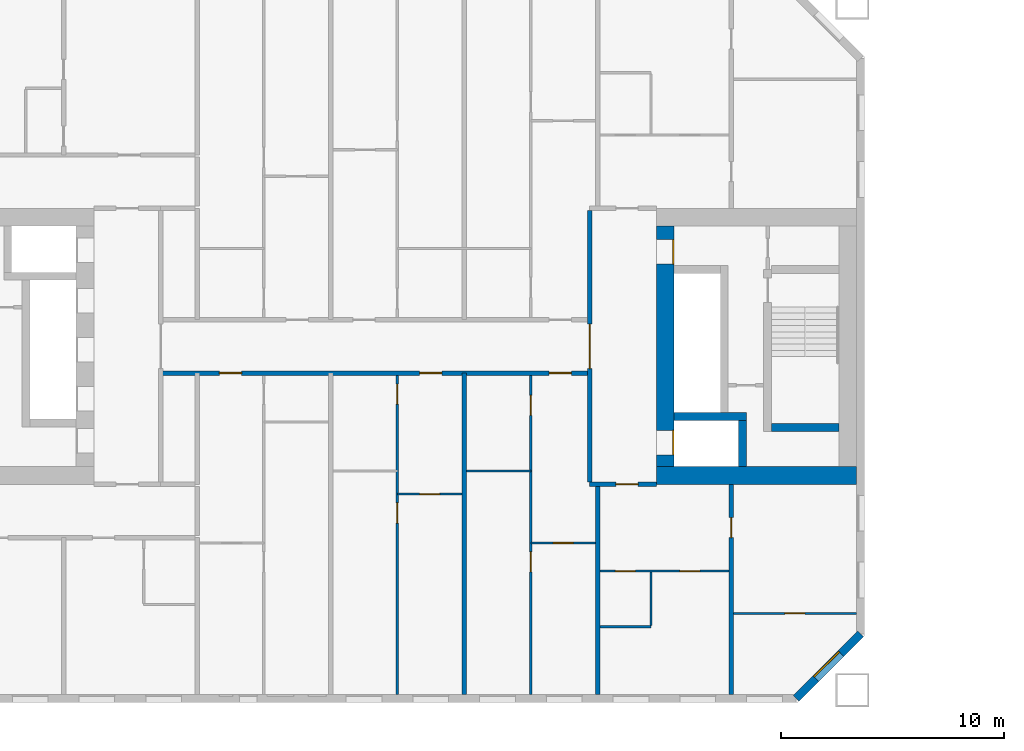
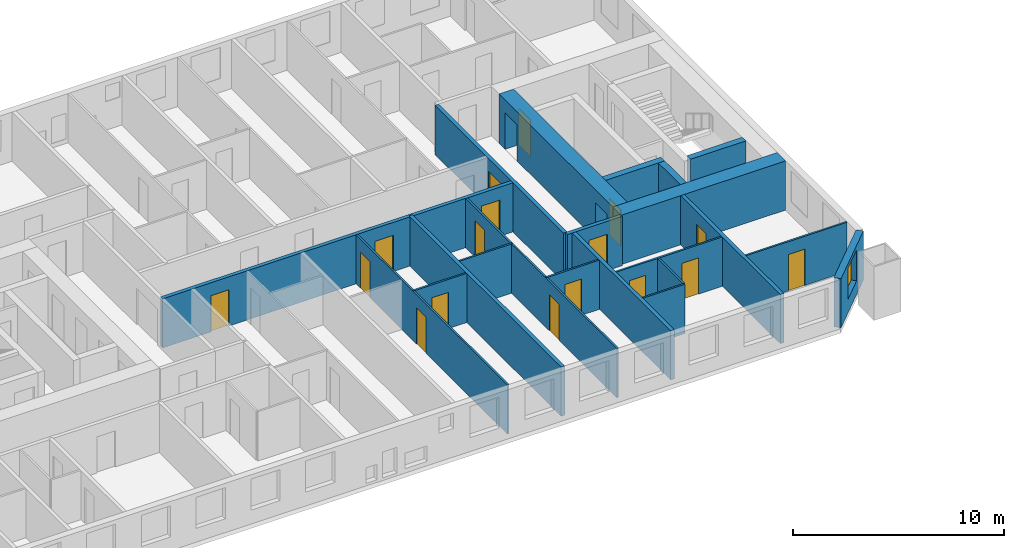
# One storey, part 6 of 16: 21 walls, 17 doors, 1 window, 18 openings.
"""IFC4 building model written with IfcOpenShell, lengths in metres."""

from ifc_helpers import new_model, si_unit, direction, frame, frame_2d, origin, place, context, subcontext, project, spatial, rectangle, extrude, material, layer, layer_set, type_object, element, fill, save


model = new_model("IFC4")

# Units and contexts
model_context = context("Model", 3, precision=1e-05, world=origin(), true_north=direction((0.0, 1.0)))
body_context = subcontext(model_context, "Body", "Model", "MODEL_VIEW")
ifc_project = project(units=[si_unit("LENGTHUNIT", "METRE"), si_unit("AREAUNIT", "SQUARE_METRE"), si_unit("VOLUMEUNIT", "CUBIC_METRE"), si_unit("PLANEANGLEUNIT", "RADIAN"), si_unit("MASSUNIT", "GRAM", prefix="KILO")], contexts=[model_context])

# Site, building, storey
site_placement = place(None, origin())
site = spatial("IfcSite", under=ifc_project, at=site_placement, CompositionType="ELEMENT")
building_placement = place(site_placement, origin())
building = spatial("IfcBuilding", under=site, at=building_placement, Name="Tuart Gate Housing", CompositionType="ELEMENT")
storey_placement = place(building_placement, frame((0.0, 0.0, 59.800048828125)))
storey = spatial("IfcBuildingStorey", under=building, at=storey_placement, Name="L16", CompositionType="ELEMENT", Elevation=59.800048828125)

# Wall, opening, window
ifc_material_1 = material(Name="Brick", Category="masonry")
ifc_layer_1 = layer(ifc_material_1, 0.360107421875)
ifc_layer_set_1 = layer_set([ifc_layer_1], Name="Brick pier and spandrel wall 360")
wall_type_1 = type_object("IfcWallType", Name="Brick pier and spandrel wall 360", PredefinedType="STANDARD", material=ifc_layer_set_1)
wall_1_placement = place(storey_placement, frame((72.92529296875, 54.179931640625, 0.0), z_axis=(0.0, 0.0, 1.0), x_axis=(0.707106781187, 0.707106781187, 0.0)))
wall_1 = element("IfcWall", 1, at=wall_1_placement, inside=storey, type_object=wall_type_1, Name="External wall A-SE L16", PredefinedType="STANDARD", context=body_context, shape_type="SweptSolid", body=[
    extrude(rectangle(XDim=4.09375, YDim=0.360107421875, at=frame_2d((2.046875, 0.0))), origin(), (0.0, 0.0, 1.0), 2.849853515625),
])
opening_1_placement = place(wall_1_placement, frame((1.2470703125, 0.0, 0.800048828125)))
opening_1 = element("IfcOpeningElement", 2, at=opening_1_placement, cuts=wall_1, Name="Opening W1", PredefinedType="OPENING", context=body_context, shape_type="SweptSolid", body=[
    extrude(rectangle(XDim=1.60009765625, YDim=1.800048828125, at=frame_2d((0.800048828125, 0.89990234375))), frame((0.0, 0.18994140625, 0.0), z_axis=(0.0, -1.0, 0.0), x_axis=(1.0, 0.0, 0.0)), (0.0, 0.0, 1.0), 0.380126953125),
])
ifc_material_2 = material(Name="Aluminium frame with clear glass", Category="aluminium")
window_type = type_object("IfcWindowType", Name="Punched window 1600 x 1800", PartitioningType="SINGLE_PANEL", PredefinedType="WINDOW", material=ifc_material_2)
window_placement = place(opening_1_placement, origin())
window = element("IfcWindow", 3, at=window_placement, inside=storey, type_object=window_type, Name="Window W1", OverallHeight=1.800048828125, OverallWidth=1.60009765625, PartitioningType="SINGLE_PANEL", PredefinedType="WINDOW", context=body_context, shape_type="SweptSolid", body=[
    extrude(rectangle(XDim=1.60009765625, YDim=1.800048828125, at=frame_2d((0.800048828125, 0.89990234375))), frame((0.0, 0.150146484375, 0.0), z_axis=(0.0, -1.0, 0.0), x_axis=(1.0, 0.0, 0.0)), (0.0, 0.0, 1.0), 0.06005859375),
])
fill(opening_1, window)

# Walls
ifc_material_3 = material(Name="Concrete C60", Category="concrete")
ifc_layer_2 = layer(ifc_material_3, 0.35009765625)
ifc_layer_set_2 = layer_set([ifc_layer_2], Name="Core wall 350 C60")
wall_type_2 = type_object("IfcWallType", Name="Core wall 350 C60", PredefinedType="SHEAR", material=ifc_layer_set_2)
wall_2_placement = place(storey_placement, frame((71.81494140625, 66.35009765625, 0.0), z_axis=(0.0, 0.0, 1.0), x_axis=(1.0, 0.0, 0.0)))
element("IfcWall", 4, at=wall_2_placement, inside=storey, type_object=wall_type_2, Name="Core wall AG.1", PredefinedType="SHEAR", context=body_context, shape_type="SweptSolid", body=[
    extrude(rectangle(XDim=3.025146484375, YDim=0.35009765625, at=frame_2d((1.5126953125, 0.0))), origin(), (0.0, 0.0, 1.0), 2.849853515625),
])
wall_3_placement = place(storey_placement, frame((67.43994140625, 66.85009765625, 0.0), z_axis=(0.0, 0.0, 1.0), x_axis=(1.0, 0.0, 0.0)))
element("IfcWall", 5, at=wall_3_placement, inside=storey, type_object=wall_type_2, Name="Core wall AG.2", PredefinedType="SHEAR", context=body_context, shape_type="SweptSolid", body=[
    extrude(rectangle(XDim=3.2451171875, YDim=0.35009765625, at=frame_2d((1.62255859375, 0.0))), origin(), (0.0, 0.0, 1.0), 2.849853515625),
])
wall_4_placement = place(storey_placement, frame((70.510009765625, 64.60009765625, 0.0), z_axis=(0.0, 0.0, 1.0), x_axis=(0.0, 1.0, 0.0)))
element("IfcWall", 6, at=wall_4_placement, inside=storey, type_object=wall_type_2, Name="Core wall AG.7", PredefinedType="SHEAR", context=body_context, shape_type="SweptSolid", body=[
    extrude(rectangle(XDim=2.074951171875, YDim=0.35009765625, at=frame_2d((1.03759765625, 0.0))), origin(), (0.0, 0.0, 1.0), 2.849853515625),
])

# Wall, openings, doors
ifc_material_4 = material(Name="Concrete C60", Category="concrete")
ifc_layer_3 = layer(ifc_material_4, 0.800048828125)
ifc_layer_set_3 = layer_set([ifc_layer_3], Name="Core wall 800 C60")
wall_type_3 = type_object("IfcWallType", Name="Core wall 800 C60", PredefinedType="SHEAR", material=ifc_layer_set_3)
wall_5_placement = place(storey_placement, frame((67.0400390625, 64.60009765625, 0.0), z_axis=(0.0, 0.0, 1.0), x_axis=(0.0, 1.0, 0.0)))
wall_5 = element("IfcWall", 7, at=wall_5_placement, inside=storey, type_object=wall_type_3, Name="Core wall AG front", PredefinedType="SHEAR", context=body_context, shape_type="SweptSolid", body=[
    extrude(rectangle(XDim=10.7998046875, YDim=0.800048828125, at=frame_2d((5.39990234375, 0.0))), origin(), (0.0, 0.0, 1.0), 2.849853515625),
])
opening_2_placement = place(wall_5_placement, frame((0.52490234375, 0.0, 0.0)))
opening_2 = element("IfcOpeningElement", 8, at=opening_2_placement, cuts=wall_5, Name="Opening LD-FA1", PredefinedType="OPENING", context=body_context, shape_type="SweptSolid", body=[
    extrude(rectangle(XDim=1.10009765625, YDim=2.10009765625, at=frame_2d((0.550048828125, 1.050048828125))), frame((0.0, 0.409912109375, 0.0), z_axis=(0.0, -1.0, 0.0), x_axis=(1.0, 0.0, 0.0)), (0.0, 0.0, 1.0), 0.820068359375),
])
opening_3_placement = place(wall_5_placement, frame((9.10009765625, 0.0, 0.0)))
opening_3 = element("IfcOpeningElement", 9, at=opening_3_placement, cuts=wall_5, Name="Opening D747", PredefinedType="OPENING", context=body_context, shape_type="SweptSolid", body=[
    extrude(rectangle(XDim=1.10009765625, YDim=2.10009765625, at=frame_2d((0.550048828125, 1.050048828125))), frame((0.0, 0.409912109375, 0.0), z_axis=(0.0, -1.0, 0.0), x_axis=(1.0, 0.0, 0.0)), (0.0, 0.0, 1.0), 0.820068359375),
])
ifc_material_5 = material(Name="Stainless steel", Category="steel")
door_type_1 = type_object("IfcDoorType", Name="Landing door 1100 x 2100", OperationType="DOUBLE_DOOR_SLIDING", PredefinedType="DOOR", material=ifc_material_5)
door_1_placement = place(opening_2_placement, origin())
door_1 = element("IfcDoor", 10, at=door_1_placement, inside=storey, type_object=door_type_1, Name="Lift landing door FA1", OperationType="DOUBLE_DOOR_SLIDING", OverallHeight=2.10009765625, OverallWidth=1.10009765625, PredefinedType="DOOR", context=body_context, shape_type="SweptSolid", body=[
    extrude(rectangle(XDim=1.10009765625, YDim=2.10009765625, at=frame_2d((0.550048828125, 1.050048828125))), frame((0.0, -0.3349609375, 0.0), z_axis=(0.0, -1.0, 0.0), x_axis=(1.0, 0.0, 0.0)), (0.0, 0.0, 1.0), 0.050048828125),
])
fill(opening_2, door_1)
ifc_material_6 = material(Name="Steel fire door", Category="steel")
door_type_2 = type_object("IfcDoorType", Name="Lobby door 1100 x 2100 RH", OperationType="SINGLE_SWING_RIGHT", PredefinedType="DOOR", material=ifc_material_6)
door_2_placement = place(opening_3_placement, frame((1.10009765625, 0.0, 0.0), z_axis=(0.0, 0.0, 1.0), x_axis=(-1.0, 0.0, 0.0)))
door_2 = element("IfcDoor", 11, at=door_2_placement, inside=storey, type_object=door_type_2, Name="Lobby entry door AG.EN", OperationType="SINGLE_SWING_RIGHT", OverallHeight=2.10009765625, OverallWidth=1.10009765625, PredefinedType="DOOR", context=body_context, shape_type="SweptSolid", body=[
    extrude(rectangle(XDim=1.10009765625, YDim=2.10009765625, at=frame_2d((0.550048828125, 1.050048828125))), frame((0.0, 0.385009765625, 0.0), z_axis=(0.0, -1.0, 0.0), x_axis=(1.0, 0.0, 0.0)), (0.0, 0.0, 1.0), 0.050048828125),
])
fill(opening_3, door_2)

# Wall
wall_6_placement = place(storey_placement, frame((66.639892578125, 64.199951171875, 0.0), z_axis=(0.0, 0.0, 1.0), x_axis=(1.0, 0.0, 0.0)))
element("IfcWall", 12, at=wall_6_placement, inside=storey, type_object=wall_type_3, Name="Core wall AG south", PredefinedType="SHEAR", context=body_context, shape_type="SweptSolid", body=[
    extrude(rectangle(XDim=9.0, YDim=0.800048828125, at=frame_2d((4.5, 0.0))), origin(), (0.0, 0.0, 1.0), 2.849853515625),
])

# Wall, openings, doors
ifc_material_7 = material(Name="Concrete masonry 15 MPa", Category="masonry")
ifc_layer_4 = layer(ifc_material_7, 0.199951171875)
ifc_layer_set_4 = layer_set([ifc_layer_4], Name="Corridor wall masonry 200")
wall_type_4 = type_object("IfcWallType", Name="Corridor wall masonry 200", PredefinedType="PARTITIONING", material=ifc_layer_set_4)
wall_7_placement = place(storey_placement, frame((44.360107421875, 68.800048828125, 0.0), z_axis=(0.0, 0.0, 1.0), x_axis=(1.0, 0.0, 0.0)))
wall_7 = element("IfcWall", 13, at=wall_7_placement, inside=storey, type_object=wall_type_4, Name="Corridor wall masonry 200", PredefinedType="PARTITIONING", context=body_context, shape_type="SweptSolid", body=[
    extrude(rectangle(XDim=19.27978515625, YDim=0.199951171875, at=frame_2d((9.639892578125, 0.0))), origin(), (0.0, 0.0, 1.0), 2.849853515625),
])
opening_4_placement = place(wall_7_placement, frame((17.4599609375, 0.0, 0.0)))
opening_4 = element("IfcOpeningElement", 14, at=opening_4_placement, cuts=wall_7, Name="Opening D749", PredefinedType="OPENING", context=body_context, shape_type="SweptSolid", body=[
    extrude(rectangle(XDim=1.0, YDim=2.10009765625, at=frame_2d((0.5, 1.050048828125))), frame((0.0, 0.10986328125, 0.0), z_axis=(0.0, -1.0, 0.0), x_axis=(1.0, 0.0, 0.0)), (0.0, 0.0, 1.0), 0.219970703125),
])
opening_5_placement = place(wall_7_placement, frame((11.639892578125, 0.0, 0.0)))
opening_5 = element("IfcOpeningElement", 15, at=opening_5_placement, cuts=wall_7, Name="Opening D750", PredefinedType="OPENING", context=body_context, shape_type="SweptSolid", body=[
    extrude(rectangle(XDim=1.0, YDim=2.10009765625, at=frame_2d((0.5, 1.050048828125))), frame((0.0, 0.10986328125, 0.0), z_axis=(0.0, -1.0, 0.0), x_axis=(1.0, 0.0, 0.0)), (0.0, 0.0, 1.0), 0.219970703125),
])
opening_6_placement = place(wall_7_placement, frame((2.639892578125, 0.0, 0.0)))
opening_6 = element("IfcOpeningElement", 16, at=opening_6_placement, cuts=wall_7, Name="Opening D751", PredefinedType="OPENING", context=body_context, shape_type="SweptSolid", body=[
    extrude(rectangle(XDim=1.0, YDim=2.10009765625, at=frame_2d((0.5, 1.050048828125))), frame((0.0, 0.10986328125, 0.0), z_axis=(0.0, -1.0, 0.0), x_axis=(1.0, 0.0, 0.0)), (0.0, 0.0, 1.0), 0.219970703125),
])
ifc_material_8 = material(Name="Timber door leaf in steel frame", Category="steel")
door_type_3 = type_object("IfcDoorType", Name="Flat entrance door 1000 RH", OperationType="SINGLE_SWING_RIGHT", PredefinedType="DOOR", material=ifc_material_8)
door_3_placement = place(opening_4_placement, frame((1.0, 0.0, 0.0), z_axis=(0.0, 0.0, 1.0), x_axis=(-1.0, 0.0, 0.0)))
door_3 = element("IfcDoor", 17, at=door_3_placement, inside=storey, type_object=door_type_3, Name="Flat entrance door", OperationType="SINGLE_SWING_RIGHT", OverallHeight=2.10009765625, OverallWidth=1.0, PredefinedType="DOOR", context=body_context, shape_type="SweptSolid", body=[
    extrude(rectangle(XDim=1.0, YDim=2.10009765625, at=frame_2d((0.5, 1.050048828125))), frame((0.0, 0.025146484375, 0.0), z_axis=(0.0, -1.0, 0.0), x_axis=(1.0, 0.0, 0.0)), (0.0, 0.0, 1.0), 0.050048828125),
])
fill(opening_4, door_3)
door_4_placement = place(opening_5_placement, frame((1.0, 0.0, 0.0), z_axis=(0.0, 0.0, 1.0), x_axis=(-1.0, 0.0, 0.0)))
door_4 = element("IfcDoor", 18, at=door_4_placement, inside=storey, type_object=door_type_3, Name="Flat entrance door", OperationType="SINGLE_SWING_RIGHT", OverallHeight=2.10009765625, OverallWidth=1.0, PredefinedType="DOOR", context=body_context, shape_type="SweptSolid", body=[
    extrude(rectangle(XDim=1.0, YDim=2.10009765625, at=frame_2d((0.5, 1.050048828125))), frame((0.0, 0.025146484375, 0.0), z_axis=(0.0, -1.0, 0.0), x_axis=(1.0, 0.0, 0.0)), (0.0, 0.0, 1.0), 0.050048828125),
])
fill(opening_5, door_4)
door_5_placement = place(opening_6_placement, frame((1.0, 0.0, 0.0), z_axis=(0.0, 0.0, 1.0), x_axis=(-1.0, 0.0, 0.0)))
door_5 = element("IfcDoor", 19, at=door_5_placement, inside=storey, type_object=door_type_3, Name="Flat entrance door", OperationType="SINGLE_SWING_RIGHT", OverallHeight=2.10009765625, OverallWidth=1.0, PredefinedType="DOOR", context=body_context, shape_type="SweptSolid", body=[
    extrude(rectangle(XDim=1.0, YDim=2.10009765625, at=frame_2d((0.5, 1.050048828125))), frame((0.0, 0.025146484375, 0.0), z_axis=(0.0, -1.0, 0.0), x_axis=(1.0, 0.0, 0.0)), (0.0, 0.0, 1.0), 0.050048828125),
])
fill(opening_6, door_5)

# Wall, opening, door
ifc_material_9 = material(Name="Concrete masonry 15 MPa", Category="masonry")
ifc_layer_5 = layer(ifc_material_9, 0.199951171875)
ifc_layer_set_5 = layer_set([ifc_layer_5], Name="Enclosure wall masonry 200")
wall_type_5 = type_object("IfcWallType", Name="Enclosure wall masonry 200", PredefinedType="PARTITIONING", material=ifc_layer_set_5)
wall_8_placement = place(storey_placement, frame((63.639892578125, 63.800048828125, 0.0), z_axis=(0.0, 0.0, 1.0), x_axis=(1.0, 0.0, 0.0)))
wall_8 = element("IfcWall", 20, at=wall_8_placement, inside=storey, type_object=wall_type_5, Name="Enclosure wall masonry 200", PredefinedType="PARTITIONING", context=body_context, shape_type="SweptSolid", body=[
    extrude(rectangle(XDim=3.0, YDim=0.199951171875, at=frame_2d((1.5, 0.0))), origin(), (0.0, 0.0, 1.0), 2.849853515625),
])
opening_7_placement = place(wall_8_placement, frame((1.179931640625, 0.0, 0.0)))
opening_7 = element("IfcOpeningElement", 21, at=opening_7_placement, cuts=wall_8, Name="Opening D756", PredefinedType="OPENING", context=body_context, shape_type="SweptSolid", body=[
    extrude(rectangle(XDim=1.0, YDim=2.10009765625, at=frame_2d((0.5, 1.050048828125))), frame((0.0, 0.10986328125, 0.0), z_axis=(0.0, -1.0, 0.0), x_axis=(1.0, 0.0, 0.0)), (0.0, 0.0, 1.0), 0.219970703125),
])
door_6_placement = place(opening_7_placement, frame((1.0, 0.0, 0.0), z_axis=(0.0, 0.0, 1.0), x_axis=(-1.0, 0.0, 0.0)))
door_6 = element("IfcDoor", 22, at=door_6_placement, inside=storey, type_object=door_type_3, Name="Flat entrance door", OperationType="SINGLE_SWING_RIGHT", OverallHeight=2.10009765625, OverallWidth=1.0, PredefinedType="DOOR", context=body_context, shape_type="SweptSolid", body=[
    extrude(rectangle(XDim=1.0, YDim=2.10009765625, at=frame_2d((0.5, 1.050048828125))), frame((0.0, 0.025146484375, 0.0), z_axis=(0.0, -1.0, 0.0), x_axis=(1.0, 0.0, 0.0)), (0.0, 0.0, 1.0), 0.050048828125),
])
fill(opening_7, door_6)

ifc_material_10 = material(Name="Plasterboard partition")
ifc_layer_6 = layer(ifc_material_10, 0.199951171875)
ifc_layer_set_6 = layer_set([ifc_layer_6], Name="Lobby wall 200")
wall_type_6 = type_object("IfcWallType", Name="Lobby wall 200", PredefinedType="PARTITIONING", material=ifc_layer_set_6)
wall_9_placement = place(storey_placement, frame((63.639892578125, 63.89990234375, 0.0), z_axis=(0.0, 0.0, 1.0), x_axis=(0.0, 1.0, 0.0)))
wall_9 = element("IfcWall", 23, at=wall_9_placement, inside=storey, type_object=wall_type_6, Name="Lift lobby wall AG", PredefinedType="PARTITIONING", context=body_context, shape_type="SweptSolid", body=[
    extrude(rectangle(XDim=12.2001953125, YDim=0.199951171875, at=frame_2d((6.10009765625, 0.0))), origin(), (0.0, 0.0, 1.0), 2.849853515625),
])
opening_8_placement = place(wall_9_placement, frame((5.10009765625, 0.0, 0.0)))
opening_8 = element("IfcOpeningElement", 24, at=opening_8_placement, cuts=wall_9, Name="Opening D746", PredefinedType="OPENING", context=body_context, shape_type="SweptSolid", body=[
    extrude(rectangle(XDim=2.0, YDim=2.10009765625, at=frame_2d((1.0, 1.050048828125))), frame((0.0, 0.10986328125, 0.0), z_axis=(0.0, -1.0, 0.0), x_axis=(1.0, 0.0, 0.0)), (0.0, 0.0, 1.0), 0.219970703125),
])
ifc_material_11 = material(Name="Steel fire door", Category="steel")
door_type_4 = type_object("IfcDoorType", Name="Smoke door 2000 x 2100", OperationType="DOUBLE_DOOR_SINGLE_SWING", PredefinedType="DOOR", material=ifc_material_11)
door_7_placement = place(opening_8_placement, frame((2.0, 0.0, 0.0), z_axis=(0.0, 0.0, 1.0), x_axis=(-1.0, 0.0, 0.0)))
door_7 = element("IfcDoor", 25, at=door_7_placement, inside=storey, type_object=door_type_4, Name="Lift lobby smoke door AG", OperationType="DOUBLE_DOOR_SINGLE_SWING", OverallHeight=2.10009765625, OverallWidth=2.0, PredefinedType="DOOR", context=body_context, shape_type="SweptSolid", body=[
    extrude(rectangle(XDim=2.0, YDim=2.10009765625, at=frame_2d((1.0, 1.050048828125))), frame((0.0, 0.025146484375, 0.0), z_axis=(0.0, -1.0, 0.0), x_axis=(1.0, 0.0, 0.0)), (0.0, 0.0, 1.0), 0.050048828125),
])
fill(opening_8, door_7)

# Wall
ifc_material_12 = material(Name="Gypsum board on steel studs", Category="steel")
ifc_layer_7 = layer(ifc_material_12, 0.10009765625)
ifc_layer_set_7 = layer_set([ifc_layer_7], Name="Partition 100")
wall_type_7 = type_object("IfcWallType", Name="Partition 100", PredefinedType="PARTITIONING", material=ifc_layer_set_7)
wall_10_placement = place(storey_placement, frame((64.10009765625, 57.39990234375, 0.0), z_axis=(0.0, 0.0, 1.0), x_axis=(1.0, 0.0, 0.0)))
element("IfcWall", 26, at=wall_10_placement, inside=storey, type_object=wall_type_7, Name="Partition 100", PredefinedType="PARTITIONING", context=body_context, shape_type="SweptSolid", body=[
    extrude(rectangle(XDim=2.2998046875, YDim=0.10009765625, at=frame_2d((1.14990234375, 0.0))), origin(), (0.0, 0.0, 1.0), 2.849853515625),
])

# Wall, opening, door
wall_11_placement = place(storey_placement, frame((70.10009765625, 58.0, 0.0), z_axis=(0.0, 0.0, 1.0), x_axis=(1.0, 0.0, 0.0)))
wall_11 = element("IfcWall", 27, at=wall_11_placement, inside=storey, type_object=wall_type_7, Name="Partition 100", PredefinedType="PARTITIONING", context=body_context, shape_type="SweptSolid", body=[
    extrude(rectangle(XDim=5.539794921875, YDim=0.10009765625, at=frame_2d((2.77001953125, 0.0))), origin(), (0.0, 0.0, 1.0), 2.849853515625),
])
opening_9_placement = place(wall_11_placement, frame((2.320068359375, 0.0, 0.0)))
opening_9 = element("IfcOpeningElement", 28, at=opening_9_placement, cuts=wall_11, Name="Opening D773", PredefinedType="OPENING", context=body_context, shape_type="SweptSolid", body=[
    extrude(rectangle(XDim=0.89990234375, YDim=2.10009765625, at=frame_2d((0.449951171875, 1.050048828125))), frame((0.0, 0.06005859375, 0.0), z_axis=(0.0, -1.0, 0.0), x_axis=(1.0, 0.0, 0.0)), (0.0, 0.0, 1.0), 0.1201171875),
])
ifc_material_13 = material(Name="Timber door leaf in steel frame", Category="steel")
door_type_5 = type_object("IfcDoorType", Name="Internal door 900", OperationType="SINGLE_SWING_LEFT", PredefinedType="DOOR", material=ifc_material_13)
door_8_placement = place(opening_9_placement, frame((0.89990234375, 0.0, 0.0), z_axis=(0.0, 0.0, 1.0), x_axis=(-1.0, 0.0, 0.0)))
door_8 = element("IfcDoor", 29, at=door_8_placement, inside=storey, type_object=door_type_5, Name="Internal door", OperationType="SINGLE_SWING_LEFT", OverallHeight=2.10009765625, OverallWidth=0.89990234375, PredefinedType="DOOR", context=body_context, shape_type="SweptSolid", body=[
    extrude(rectangle(XDim=0.89990234375, YDim=2.10009765625, at=frame_2d((0.449951171875, 1.050048828125))), frame((0.0, 0.025146484375, 0.0), z_axis=(0.0, -1.0, 0.0), x_axis=(1.0, 0.0, 0.0)), (0.0, 0.0, 1.0), 0.050048828125),
])
fill(opening_9, door_8)

# Wall, openings, doors
wall_12_placement = place(storey_placement, frame((64.10009765625, 59.89990234375, 0.0), z_axis=(0.0, 0.0, 1.0), x_axis=(1.0, 0.0, 0.0)))
wall_12 = element("IfcWall", 30, at=wall_12_placement, inside=storey, type_object=wall_type_7, Name="Partition 100", PredefinedType="PARTITIONING", context=body_context, shape_type="SweptSolid", body=[
    extrude(rectangle(XDim=5.7998046875, YDim=0.10009765625, at=frame_2d((2.89990234375, 0.0))), origin(), (0.0, 0.0, 1.0), 2.849853515625),
])
opening_10_placement = place(wall_12_placement, frame((3.60009765625, 0.0, 0.0)))
opening_10 = element("IfcOpeningElement", 31, at=opening_10_placement, cuts=wall_12, Name="Opening D770", PredefinedType="OPENING", context=body_context, shape_type="SweptSolid", body=[
    extrude(rectangle(XDim=0.89990234375, YDim=2.10009765625, at=frame_2d((0.449951171875, 1.050048828125))), frame((0.0, 0.06005859375, 0.0), z_axis=(0.0, -1.0, 0.0), x_axis=(1.0, 0.0, 0.0)), (0.0, 0.0, 1.0), 0.1201171875),
])
opening_11_placement = place(wall_12_placement, frame((0.699951171875, 0.0, 0.0)))
opening_11 = element("IfcOpeningElement", 32, at=opening_11_placement, cuts=wall_12, Name="Opening D769", PredefinedType="OPENING", context=body_context, shape_type="SweptSolid", body=[
    extrude(rectangle(XDim=0.89990234375, YDim=2.10009765625, at=frame_2d((0.449951171875, 1.050048828125))), frame((0.0, 0.06005859375, 0.0), z_axis=(0.0, -1.0, 0.0), x_axis=(1.0, 0.0, 0.0)), (0.0, 0.0, 1.0), 0.1201171875),
])
ifc_material_14 = material(Name="Timber door leaf in steel frame", Category="steel")
door_type_6 = type_object("IfcDoorType", Name="Bathroom door 900", OperationType="SINGLE_SWING_LEFT", PredefinedType="DOOR", material=ifc_material_14)
door_9_placement = place(opening_11_placement, frame((0.89990234375, 0.0, 0.0), z_axis=(0.0, 0.0, 1.0), x_axis=(-1.0, 0.0, 0.0)))
door_9 = element("IfcDoor", 33, at=door_9_placement, inside=storey, type_object=door_type_6, Name="Bathroom door", OperationType="SINGLE_SWING_LEFT", OverallHeight=2.10009765625, OverallWidth=0.89990234375, PredefinedType="DOOR", context=body_context, shape_type="SweptSolid", body=[
    extrude(rectangle(XDim=0.89990234375, YDim=2.10009765625, at=frame_2d((0.449951171875, 1.050048828125))), frame((0.0, 0.025146484375, 0.0), z_axis=(0.0, -1.0, 0.0), x_axis=(1.0, 0.0, 0.0)), (0.0, 0.0, 1.0), 0.050048828125),
])
fill(opening_11, door_9)
ifc_material_15 = material(Name="Timber door leaf in steel frame", Category="steel")
door_type_7 = type_object("IfcDoorType", Name="Internal door 900 RH", OperationType="SINGLE_SWING_RIGHT", PredefinedType="DOOR", material=ifc_material_15)
door_10_placement = place(opening_10_placement, frame((0.89990234375, 0.0, 0.0), z_axis=(0.0, 0.0, 1.0), x_axis=(-1.0, 0.0, 0.0)))
door_10 = element("IfcDoor", 34, at=door_10_placement, inside=storey, type_object=door_type_7, Name="Internal door", OperationType="SINGLE_SWING_RIGHT", OverallHeight=2.10009765625, OverallWidth=0.89990234375, PredefinedType="DOOR", context=body_context, shape_type="SweptSolid", body=[
    extrude(rectangle(XDim=0.89990234375, YDim=2.10009765625, at=frame_2d((0.449951171875, 1.050048828125))), frame((0.0, 0.025146484375, 0.0), z_axis=(0.0, -1.0, 0.0), x_axis=(1.0, 0.0, 0.0)), (0.0, 0.0, 1.0), 0.050048828125),
])
fill(opening_10, door_10)

# Wall, opening, door
wall_13_placement = place(storey_placement, frame((61.0, 61.159912109375, 0.0), z_axis=(0.0, 0.0, 1.0), x_axis=(1.0, 0.0, 0.0)))
wall_13 = element("IfcWall", 35, at=wall_13_placement, inside=storey, type_object=wall_type_7, Name="Partition 100", PredefinedType="PARTITIONING", context=body_context, shape_type="SweptSolid", body=[
    extrude(rectangle(XDim=2.89990234375, YDim=0.10009765625, at=frame_2d((1.449951171875, 0.0))), origin(), (0.0, 0.0, 1.0), 2.849853515625),
])
opening_12_placement = place(wall_13_placement, frame((1.0, 0.0, 0.0)))
opening_12 = element("IfcOpeningElement", 36, at=opening_12_placement, cuts=wall_13, Name="Opening D768", PredefinedType="OPENING", context=body_context, shape_type="SweptSolid", body=[
    extrude(rectangle(XDim=0.89990234375, YDim=2.10009765625, at=frame_2d((0.449951171875, 1.050048828125))), frame((0.0, 0.06005859375, 0.0), z_axis=(0.0, -1.0, 0.0), x_axis=(1.0, 0.0, 0.0)), (0.0, 0.0, 1.0), 0.1201171875),
])
door_11_placement = place(opening_12_placement, origin())
door_11 = element("IfcDoor", 37, at=door_11_placement, inside=storey, type_object=door_type_5, Name="Internal door", OperationType="SINGLE_SWING_LEFT", OverallHeight=2.10009765625, OverallWidth=0.89990234375, PredefinedType="DOOR", context=body_context, shape_type="SweptSolid", body=[
    extrude(rectangle(XDim=0.89990234375, YDim=2.10009765625, at=frame_2d((0.449951171875, 1.050048828125))), frame((0.0, 0.02490234375, 0.0), z_axis=(0.0, -1.0, 0.0), x_axis=(1.0, 0.0, 0.0)), (0.0, 0.0, 1.0), 0.050048828125),
])
fill(opening_12, door_11)

wall_14_placement = place(storey_placement, frame((55.0, 63.360107421875, 0.0), z_axis=(0.0, 0.0, 1.0), x_axis=(1.0, 0.0, 0.0)))
wall_14 = element("IfcWall", 38, at=wall_14_placement, inside=storey, type_object=wall_type_7, Name="Partition 100", PredefinedType="PARTITIONING", context=body_context, shape_type="SweptSolid", body=[
    extrude(rectangle(XDim=2.89990234375, YDim=0.10009765625, at=frame_2d((1.449951171875, 0.0))), origin(), (0.0, 0.0, 1.0), 2.849853515625),
])
opening_13_placement = place(wall_14_placement, frame((1.0, 0.0, 0.0)))
opening_13 = element("IfcOpeningElement", 39, at=opening_13_placement, cuts=wall_14, Name="Opening D757", PredefinedType="OPENING", context=body_context, shape_type="SweptSolid", body=[
    extrude(rectangle(XDim=0.89990234375, YDim=2.10009765625, at=frame_2d((0.449951171875, 1.050048828125))), frame((0.0, 0.06005859375, 0.0), z_axis=(0.0, -1.0, 0.0), x_axis=(1.0, 0.0, 0.0)), (0.0, 0.0, 1.0), 0.1201171875),
])
door_12_placement = place(opening_13_placement, origin())
door_12 = element("IfcDoor", 40, at=door_12_placement, inside=storey, type_object=door_type_5, Name="Internal door", OperationType="SINGLE_SWING_LEFT", OverallHeight=2.10009765625, OverallWidth=0.89990234375, PredefinedType="DOOR", context=body_context, shape_type="SweptSolid", body=[
    extrude(rectangle(XDim=0.89990234375, YDim=2.10009765625, at=frame_2d((0.449951171875, 1.050048828125))), frame((0.0, 0.02490234375, 0.0), z_axis=(0.0, -1.0, 0.0), x_axis=(1.0, 0.0, 0.0)), (0.0, 0.0, 1.0), 0.050048828125),
])
fill(opening_13, door_12)

# Wall
wall_15_placement = place(storey_placement, frame((58.10009765625, 64.39990234375, 0.0), z_axis=(0.0, 0.0, 1.0), x_axis=(1.0, 0.0, 0.0)))
element("IfcWall", 41, at=wall_15_placement, inside=storey, type_object=wall_type_7, Name="Partition 100", PredefinedType="PARTITIONING", context=body_context, shape_type="SweptSolid", body=[
    extrude(rectangle(XDim=2.89990234375, YDim=0.10009765625, at=frame_2d((1.449951171875, 0.0))), origin(), (0.0, 0.0, 1.0), 2.849853515625),
])

# Wall, openings, doors
wall_16_placement = place(storey_placement, frame((55.0, 54.360107421875, 0.0), z_axis=(0.0, 0.0, 1.0), x_axis=(0.0, 1.0, 0.0)))
wall_16 = element("IfcWall", 42, at=wall_16_placement, inside=storey, type_object=wall_type_7, Name="Partition 100", PredefinedType="PARTITIONING", context=body_context, shape_type="SweptSolid", body=[
    extrude(rectangle(XDim=14.33984375, YDim=0.10009765625, at=frame_2d((7.169921875, 0.0))), origin(), (0.0, 0.0, 1.0), 2.849853515625),
])
opening_14_placement = place(wall_16_placement, frame((7.699951171875, 0.0, 0.0)))
opening_14 = element("IfcOpeningElement", 43, at=opening_14_placement, cuts=wall_16, Name="Opening D761", PredefinedType="OPENING", context=body_context, shape_type="SweptSolid", body=[
    extrude(rectangle(XDim=0.89990234375, YDim=2.10009765625, at=frame_2d((0.449951171875, 1.050048828125))), frame((0.0, 0.06005859375, 0.0), z_axis=(0.0, -1.0, 0.0), x_axis=(1.0, 0.0, 0.0)), (0.0, 0.0, 1.0), 0.1201171875),
])
opening_15_placement = place(wall_16_placement, frame((13.0400390625, 0.0, 0.0)))
opening_15 = element("IfcOpeningElement", 44, at=opening_15_placement, cuts=wall_16, Name="Opening D760", PredefinedType="OPENING", context=body_context, shape_type="SweptSolid", body=[
    extrude(rectangle(XDim=0.89990234375, YDim=2.10009765625, at=frame_2d((0.449951171875, 1.050048828125))), frame((0.0, 0.06005859375, 0.0), z_axis=(0.0, -1.0, 0.0), x_axis=(1.0, 0.0, 0.0)), (0.0, 0.0, 1.0), 0.1201171875),
])
ifc_material_16 = material(Name="Timber door leaf in steel frame", Category="steel")
door_type_8 = type_object("IfcDoorType", Name="Bathroom door 900 RH", OperationType="SINGLE_SWING_RIGHT", PredefinedType="DOOR", material=ifc_material_16)
door_13_placement = place(opening_15_placement, origin())
door_13 = element("IfcDoor", 45, at=door_13_placement, inside=storey, type_object=door_type_8, Name="Bathroom door", OperationType="SINGLE_SWING_RIGHT", OverallHeight=2.10009765625, OverallWidth=0.89990234375, PredefinedType="DOOR", context=body_context, shape_type="SweptSolid", body=[
    extrude(rectangle(XDim=0.89990234375, YDim=2.10009765625, at=frame_2d((0.449951171875, 1.050048828125))), frame((0.0, 0.02490234375, 0.0), z_axis=(0.0, -1.0, 0.0), x_axis=(1.0, 0.0, 0.0)), (0.0, 0.0, 1.0), 0.050048828125),
])
fill(opening_15, door_13)
door_14_placement = place(opening_14_placement, origin())
door_14 = element("IfcDoor", 46, at=door_14_placement, inside=storey, type_object=door_type_7, Name="Internal door", OperationType="SINGLE_SWING_RIGHT", OverallHeight=2.10009765625, OverallWidth=0.89990234375, PredefinedType="DOOR", context=body_context, shape_type="SweptSolid", body=[
    extrude(rectangle(XDim=0.89990234375, YDim=2.10009765625, at=frame_2d((0.449951171875, 1.050048828125))), frame((0.0, 0.02490234375, 0.0), z_axis=(0.0, -1.0, 0.0), x_axis=(1.0, 0.0, 0.0)), (0.0, 0.0, 1.0), 0.050048828125),
])
fill(opening_14, door_14)

wall_17_placement = place(storey_placement, frame((61.0, 54.360107421875, 0.0), z_axis=(0.0, 0.0, 1.0), x_axis=(0.0, 1.0, 0.0)))
wall_17 = element("IfcWall", 47, at=wall_17_placement, inside=storey, type_object=wall_type_7, Name="Partition 100", PredefinedType="PARTITIONING", context=body_context, shape_type="SweptSolid", body=[
    extrude(rectangle(XDim=14.33984375, YDim=0.10009765625, at=frame_2d((7.169921875, 0.0))), origin(), (0.0, 0.0, 1.0), 2.849853515625),
])
opening_16_placement = place(wall_17_placement, frame((5.5, 0.0, 0.0)))
opening_16 = element("IfcOpeningElement", 48, at=opening_16_placement, cuts=wall_17, Name="Opening D763", PredefinedType="OPENING", context=body_context, shape_type="SweptSolid", body=[
    extrude(rectangle(XDim=0.89990234375, YDim=2.10009765625, at=frame_2d((0.449951171875, 1.050048828125))), frame((0.0, 0.06005859375, 0.0), z_axis=(0.0, -1.0, 0.0), x_axis=(1.0, 0.0, 0.0)), (0.0, 0.0, 1.0), 0.1201171875),
])
opening_17_placement = place(wall_17_placement, frame((12.5400390625, 0.0, 0.0)))
opening_17 = element("IfcOpeningElement", 49, at=opening_17_placement, cuts=wall_17, Name="Opening D762", PredefinedType="OPENING", context=body_context, shape_type="SweptSolid", body=[
    extrude(rectangle(XDim=0.89990234375, YDim=2.10009765625, at=frame_2d((0.449951171875, 1.050048828125))), frame((0.0, 0.06005859375, 0.0), z_axis=(0.0, -1.0, 0.0), x_axis=(1.0, 0.0, 0.0)), (0.0, 0.0, 1.0), 0.1201171875),
])
door_15_placement = place(opening_17_placement, origin())
door_15 = element("IfcDoor", 50, at=door_15_placement, inside=storey, type_object=door_type_8, Name="Bathroom door", OperationType="SINGLE_SWING_RIGHT", OverallHeight=2.10009765625, OverallWidth=0.89990234375, PredefinedType="DOOR", context=body_context, shape_type="SweptSolid", body=[
    extrude(rectangle(XDim=0.89990234375, YDim=2.10009765625, at=frame_2d((0.449951171875, 1.050048828125))), frame((0.0, 0.02490234375, 0.0), z_axis=(0.0, -1.0, 0.0), x_axis=(1.0, 0.0, 0.0)), (0.0, 0.0, 1.0), 0.050048828125),
])
fill(opening_17, door_15)
door_16_placement = place(opening_16_placement, origin())
door_16 = element("IfcDoor", 51, at=door_16_placement, inside=storey, type_object=door_type_7, Name="Internal door", OperationType="SINGLE_SWING_RIGHT", OverallHeight=2.10009765625, OverallWidth=0.89990234375, PredefinedType="DOOR", context=body_context, shape_type="SweptSolid", body=[
    extrude(rectangle(XDim=0.89990234375, YDim=2.10009765625, at=frame_2d((0.449951171875, 1.050048828125))), frame((0.0, 0.02490234375, 0.0), z_axis=(0.0, -1.0, 0.0), x_axis=(1.0, 0.0, 0.0)), (0.0, 0.0, 1.0), 0.050048828125),
])
fill(opening_16, door_16)

# Walls
wall_18_placement = place(storey_placement, frame((66.39990234375, 57.449951171875, 0.0), z_axis=(0.0, 0.0, 1.0), x_axis=(0.0, 1.0, 0.0)))
element("IfcWall", 52, at=wall_18_placement, inside=storey, type_object=wall_type_7, Name="Partition 100", PredefinedType="PARTITIONING", context=body_context, shape_type="SweptSolid", body=[
    extrude(rectangle(XDim=2.400146484375, YDim=0.10009765625, at=frame_2d((1.2001953125, 0.0))), origin(), (0.0, 0.0, 1.0), 2.849853515625),
])
ifc_material_17 = material(Name="Concrete C40", Category="concrete")
ifc_layer_8 = layer(ifc_material_17, 0.199951171875)
ifc_layer_set_8 = layer_set([ifc_layer_8], Name="Party wall concrete C40 200")
wall_type_8 = type_object("IfcWallType", Name="Party wall concrete C40 200", PredefinedType="SOLIDWALL", material=ifc_layer_set_8)
wall_19_placement = place(storey_placement, frame((58.0, 54.360107421875, 0.0), z_axis=(0.0, 0.0, 1.0), x_axis=(0.0, 1.0, 0.0)))
element("IfcWall", 53, at=wall_19_placement, inside=storey, type_object=wall_type_8, Name="Party wall concrete C40 200", PredefinedType="SOLIDWALL", context=body_context, shape_type="SweptSolid", body=[
    extrude(rectangle(XDim=14.43994140625, YDim=0.199951171875, at=frame_2d((7.219970703125, 0.0))), origin(), (0.0, 0.0, 1.0), 2.849853515625),
])
wall_20_placement = place(storey_placement, frame((64.0, 54.360107421875, 0.0), z_axis=(0.0, 0.0, 1.0), x_axis=(0.0, 1.0, 0.0)))
element("IfcWall", 54, at=wall_20_placement, inside=storey, type_object=wall_type_8, Name="Party wall concrete C40 200", PredefinedType="SOLIDWALL", context=body_context, shape_type="SweptSolid", body=[
    extrude(rectangle(XDim=9.43994140625, YDim=0.199951171875, at=frame_2d((4.719970703125, 0.0))), origin(), (0.0, 0.0, 1.0), 2.849853515625),
])

# Wall, opening, door
wall_21_placement = place(storey_placement, frame((70.0, 54.360107421875, 0.0), z_axis=(0.0, 0.0, 1.0), x_axis=(0.0, 1.0, 0.0)))
wall_21 = element("IfcWall", 55, at=wall_21_placement, inside=storey, type_object=wall_type_8, Name="Party wall concrete C40 200", PredefinedType="SOLIDWALL", context=body_context, shape_type="SweptSolid", body=[
    extrude(rectangle(XDim=9.43994140625, YDim=0.199951171875, at=frame_2d((4.719970703125, 0.0))), origin(), (0.0, 0.0, 1.0), 2.849853515625),
])
opening_18_placement = place(wall_21_placement, frame((7.0400390625, 0.0, 0.0)))
opening_18 = element("IfcOpeningElement", 56, at=opening_18_placement, cuts=wall_21, Name="Opening D772", PredefinedType="OPENING", context=body_context, shape_type="SweptSolid", body=[
    extrude(rectangle(XDim=0.89990234375, YDim=2.10009765625, at=frame_2d((0.449951171875, 1.050048828125))), frame((0.0, 0.10986328125, 0.0), z_axis=(0.0, -1.0, 0.0), x_axis=(1.0, 0.0, 0.0)), (0.0, 0.0, 1.0), 0.219970703125),
])
door_17_placement = place(opening_18_placement, origin())
door_17 = element("IfcDoor", 57, at=door_17_placement, inside=storey, type_object=door_type_5, Name="Internal door", OperationType="SINGLE_SWING_LEFT", OverallHeight=2.10009765625, OverallWidth=0.89990234375, PredefinedType="DOOR", context=body_context, shape_type="SweptSolid", body=[
    extrude(rectangle(XDim=0.89990234375, YDim=2.10009765625, at=frame_2d((0.449951171875, 1.050048828125))), frame((0.0, 0.02490234375, 0.0), z_axis=(0.0, -1.0, 0.0), x_axis=(1.0, 0.0, 0.0)), (0.0, 0.0, 1.0), 0.050048828125),
])
fill(opening_18, door_17)

save(model, "model.ifc")
